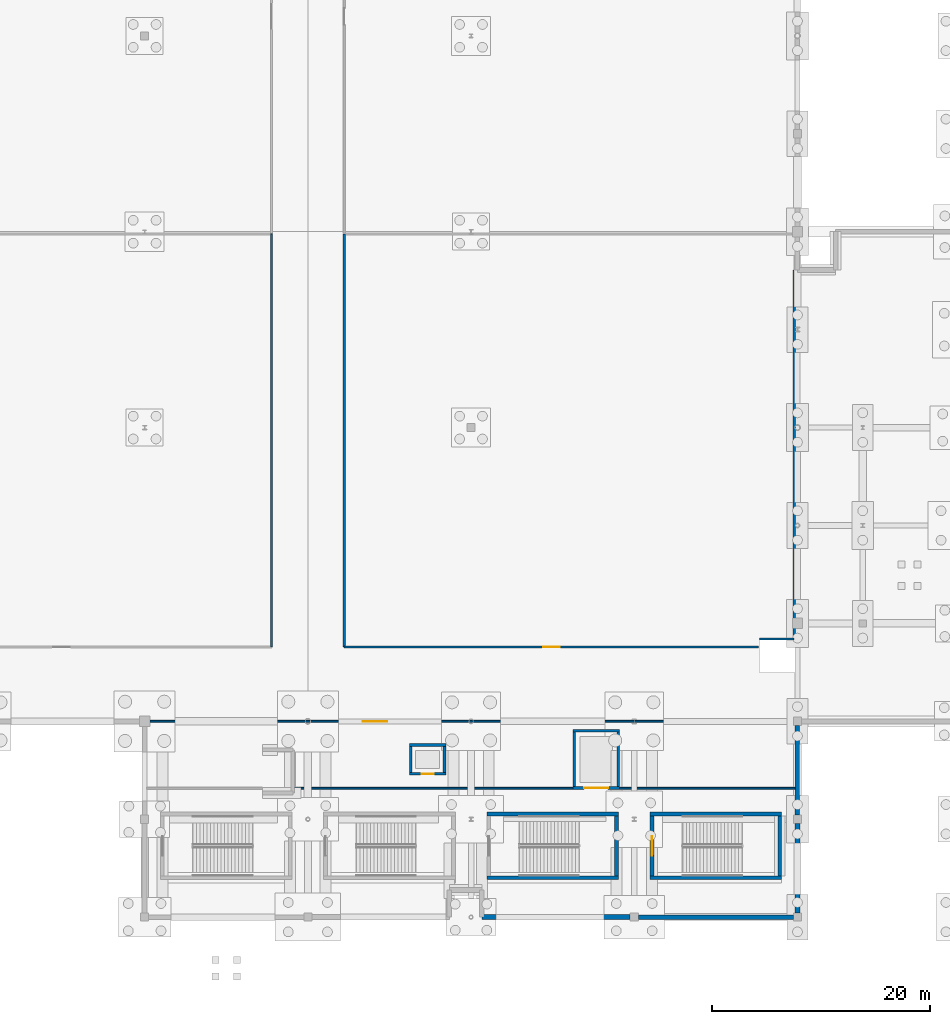
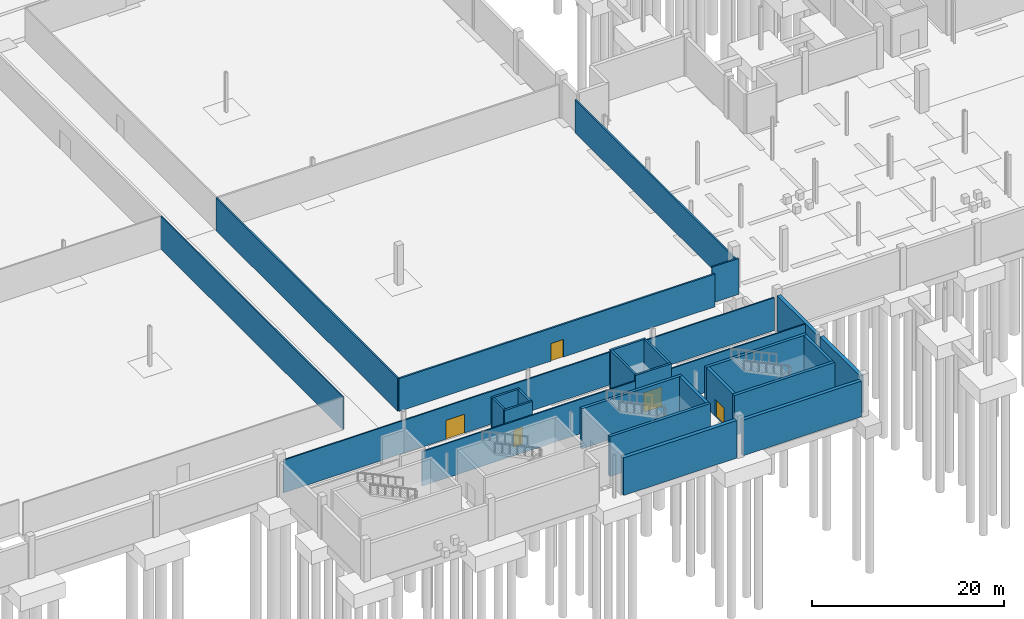
# One storey, part 39 of 58: 27 walls, 5 doors, 5 openings.
"""IFC4 building model written with IfcOpenShell, lengths in metres."""

import ifcopenshell
import ifcopenshell.guid

model = None  # the IFC model being written
_history = None  # IfcOwnerHistory: only IFC2X3 demands one
_inside = {}  # id of a spatial element -> (the spatial element, [elements in it])
_under = {}  # id of a project, library or spatial element -> (it, [spatial elements below it])
_declared = {}  # id of a project -> (the project, [libraries it declares])
_typed = {}  # id of a type object -> (the type object, [elements of that type])
_made_of = {}  # id of a material, layer set ... -> (it, [elements and type objects made of it])


def new_model(schema):
    """Start an empty IFC model of exactly this schema.

    Asked for "IFC4X3", IfcOpenShell would pick the latest addendum, in which some entities
    have other attributes; the version numbers below select the first issue.
    IFC2X3 requires an IfcOwnerHistory on every rooted entity: one is made here for all.
    """
    global model, _history
    if schema == "IFC4X3":
        model = ifcopenshell.file(schema_version=(4, 3, 0, 0))
    else:
        model = ifcopenshell.file(schema=schema)
    _inside.clear()
    _under.clear()
    _declared.clear()
    _typed.clear()
    _made_of.clear()
    _history = None
    if model.schema == "IFC2X3":
        org = make("IfcOrganization", Name="unknown")
        user = make(
            "IfcPersonAndOrganization",
            ThePerson=make("IfcPerson", FamilyName="unknown"),
            TheOrganization=org,
        )
        app = make(
            "IfcApplication",
            ApplicationDeveloper=org,
            Version="unknown",
            ApplicationFullName="unknown",
            ApplicationIdentifier="unknown",
        )
        _history = make(
            "IfcOwnerHistory",
            OwningUser=user,
            OwningApplication=app,
            ChangeAction="ADDED",
            CreationDate=0,
        )
    return model


def make(cls, **values):
    """One entity of the class cls with the attributes given. An attribute that is None is left unset."""
    return model.create_entity(
        cls, **{name: value for name, value in values.items() if value is not None}
    )


def rooted(cls, **values):
    """An entity with a GlobalId (a new one), such as an element, a storey or a relation."""
    return make(cls, GlobalId=ifcopenshell.guid.new(), OwnerHistory=_history, **values)


def si_unit(unit_type, name, prefix=None):
    """IfcSIUnit, for example si_unit("LENGTHUNIT", "METRE", prefix="MILLI")."""
    return make("IfcSIUnit", UnitType=unit_type, Prefix=prefix, Name=name)


def assignment(units):
    """IfcUnitAssignment: the units of a project."""
    return None if units is None else make("IfcUnitAssignment", Units=units)


def point(xyz):
    """IfcCartesianPoint."""
    return None if xyz is None else make("IfcCartesianPoint", Coordinates=xyz)


def direction(xyz):
    """IfcDirection."""
    return None if xyz is None else make("IfcDirection", DirectionRatios=xyz)


def frame(location, z_axis=None, x_axis=None):
    """IfcAxis2Placement3D, a coordinate frame: its origin and axes. An axis left out is left unset."""
    return make(
        "IfcAxis2Placement3D",
        Location=point(location),
        Axis=direction(z_axis),
        RefDirection=direction(x_axis),
    )


def frame_2d(location, x_axis=None):
    """IfcAxis2Placement2D, a coordinate frame in the plane: its origin and x axis."""
    return make(
        "IfcAxis2Placement2D", Location=point(location), RefDirection=direction(x_axis)
    )


def origin():
    """The frame at (0, 0, 0) with its axes left unset."""
    return frame((0.0, 0.0, 0.0))


def place(relative_to, where):
    """IfcLocalPlacement: puts the frame where relative to a parent placement (None: the world)."""
    return make(
        "IfcLocalPlacement", PlacementRelTo=relative_to, RelativePlacement=where
    )


def context(
    kind, dimensions, precision=None, world=None, true_north=None, identifier=None
):
    """IfcGeometricRepresentationContext, for example the 3D "Model" context."""
    return make(
        "IfcGeometricRepresentationContext",
        ContextIdentifier=identifier,
        ContextType=kind,
        CoordinateSpaceDimension=dimensions,
        Precision=precision,
        WorldCoordinateSystem=world,
        TrueNorth=true_north,
    )


def subcontext(parent, identifier, kind, view, scale=None):
    """IfcGeometricRepresentationSubContext, for example "Body" below "Model"."""
    return make(
        "IfcGeometricRepresentationSubContext",
        ContextIdentifier=identifier,
        ContextType=kind,
        ParentContext=parent,
        TargetScale=scale,
        TargetView=view,
    )


def project(units=None, contexts=None):
    """IfcProject with its units and contexts."""
    return rooted(
        "IfcProject",
        Name="project",
        RepresentationContexts=contexts,
        UnitsInContext=assignment(units),
    )


def spatial(cls, under=None, at=None, **own):
    """A site, building, storey or space (cls), placed at a placement, below another one or the project."""
    s = rooted(cls, ObjectPlacement=at, **own)
    if under is not None:
        _under.setdefault(under.id(), (under, []))[1].append(s)
    return s


def profile(cls, at=None, kind="AREA", **sizes):
    """A parametric profile (cls). Its sizes go by their IFC names, for example OverallWidth=200.0."""
    return make(cls, ProfileType=kind, Position=at, **sizes)


def rectangle(**sizes):
    """IfcRectangleProfileDef."""
    return profile("IfcRectangleProfileDef", **sizes)


def extrude(swept, where, along, depth):
    """IfcExtrudedAreaSolid: the profile swept, set in the frame where, extruded along a direction by depth."""
    return make(
        "IfcExtrudedAreaSolid",
        SweptArea=swept,
        Position=where,
        ExtrudedDirection=direction(along),
        Depth=depth,
    )


def shape(context_of_items, identifier, shape_type, items):
    """IfcShapeRepresentation: the items that make up one representation, for example the "Body"."""
    return make(
        "IfcShapeRepresentation",
        ContextOfItems=context_of_items,
        RepresentationIdentifier=identifier,
        RepresentationType=shape_type,
        Items=items,
    )


def material(Name=None, Category=None):
    """IfcMaterial."""
    return make("IfcMaterial", Name=Name, Category=Category)


def layer(
    of_material, thickness, ventilated=None, Name=None, Category=None, Priority=None
):
    """IfcMaterialLayer: one layer of a wall or slab, of a material (None: an air gap)."""
    return make(
        "IfcMaterialLayer",
        Material=of_material,
        LayerThickness=thickness,
        IsVentilated=ventilated,
        Name=Name,
        Category=Category,
        Priority=Priority,
    )


def layer_set(layers, Name=None):
    """IfcMaterialLayerSet."""
    return make("IfcMaterialLayerSet", MaterialLayers=layers, LayerSetName=Name)


def made_of(thing, what):
    """Note that an element or type object is made of a material, layer set ...; save() writes the relation."""
    if what is not None:
        _made_of.setdefault(what.id(), (what, []))[1].append(thing)
    return thing


def type_object(cls, material=None, **own):
    """A type object (cls), such as IfcWallType, which elements share."""
    return made_of(rooted(cls, **own), material)


def element(
    cls,
    number,
    at=None,
    inside=None,
    cuts=None,
    type_object=None,
    material=None,
    context=None,
    identifier="Body",
    shape_type=None,
    held_by="IfcProductDefinitionShape",
    body=None,
    shapes=None,
    **own,
):
    """One element of the class cls, such as IfcWall. Its Tag is "e" and its number.

    at: its placement. inside: the storey or other place that contains it. cuts: it is an
    opening in that element (IfcRelVoidsElement). A single representation is given by context,
    identifier, shape_type and body (its items); several are given by shapes. held_by: the class
    of the entity that holds the representations. save() writes the other relations.
    """
    e = rooted(cls, Tag="e%d" % number, ObjectPlacement=at, **own)
    if body is not None:
        shapes = [shape(context, identifier, shape_type, body)]
    if shapes is not None:
        e.Representation = make(held_by, Representations=shapes)
    if inside is not None:
        _inside.setdefault(inside.id(), (inside, []))[1].append(e)
    if cuts is not None:
        rooted(
            "IfcRelVoidsElement", RelatingBuildingElement=cuts, RelatedOpeningElement=e
        )
    if type_object is not None:
        _typed.setdefault(type_object.id(), (type_object, []))[1].append(e)
    return made_of(e, material)


def fill(opening, filler):
    """IfcRelFillsElement: the door or window that sits in an opening."""
    return rooted(
        "IfcRelFillsElement",
        RelatingOpeningElement=opening,
        RelatedBuildingElement=filler,
    )


def aggregate(whole, parts):
    """IfcRelAggregates: a whole, such as a stair, and the parts it consists of."""
    return rooted("IfcRelAggregates", RelatingObject=whole, RelatedObjects=parts)


def save(model, path):
    """Write the relations noted so far, then the file.

    IfcRelAggregates (storeys below a building ...), IfcRelContainedInSpatialStructure (elements
    in a storey), IfcRelDefinesByType, IfcRelAssociatesMaterial and IfcRelDeclares: one each for
    every whole, place, type object, material and project.
    """
    for whole, parts in _under.values():
        aggregate(whole, parts)
    for where, things in _inside.values():
        rooted(
            "IfcRelContainedInSpatialStructure",
            RelatedElements=things,
            RelatingStructure=where,
        )
    for kind, things in _typed.values():
        rooted("IfcRelDefinesByType", RelatedObjects=things, RelatingType=kind)
    for what, things in _made_of.values():
        rooted("IfcRelAssociatesMaterial", RelatedObjects=things, RelatingMaterial=what)
    for by, libraries in _declared.values():
        rooted("IfcRelDeclares", RelatingContext=by, RelatedDefinitions=libraries)
    model.write(path)


model = new_model("IFC4")

# Units and contexts
model_context = context("Model", 3, precision=1e-05, world=origin(), true_north=direction((0.0, 1.0)))
body_context = subcontext(model_context, "Body", "Model", "MODEL_VIEW")
ifc_project = project(units=[si_unit("LENGTHUNIT", "METRE"), si_unit("AREAUNIT", "SQUARE_METRE"), si_unit("VOLUMEUNIT", "CUBIC_METRE"), si_unit("PLANEANGLEUNIT", "RADIAN"), si_unit("MASSUNIT", "GRAM", prefix="KILO")], contexts=[model_context])

# Site, building, storey
site_placement = place(None, origin())
site = spatial("IfcSite", under=ifc_project, at=site_placement, CompositionType="ELEMENT")
building_placement = place(site_placement, origin())
building = spatial("IfcBuilding", under=site, at=building_placement, Name="Qamarlyn Nura Convention Centre", CompositionType="ELEMENT")
storey_placement = place(building_placement, frame((0.0, 0.0, -5.39990234375)))
storey = spatial("IfcBuildingStorey", under=building, at=storey_placement, Name="B01", CompositionType="ELEMENT", Elevation=-5.39990234375)

# Walls
ifc_material_1 = material(Name="Concrete C50/60", Category="concrete")
ifc_layer_1 = layer(ifc_material_1, 0.35009765625, Name="WT-CORE-350")
ifc_layer_set_1 = layer_set([ifc_layer_1], Name="Concrete C50/60")
wall_type_1 = type_object("IfcWallType", Name="WT-CORE-350", PredefinedType="SHEAR", material=ifc_layer_set_1)
for number, where, z_axis, x_axis, name in (
    (1, (91.449951171875, 3.625, 0.0), (0.0, 0.0, 1.0), (1.0, 0.0, 0.0), "B01 stair core shear wall ST-07-S"),
    (2, (103.550048828125, 9.47509765625, 0.0), (0.0, 0.0, 1.0), (-1.0, 0.0, 0.0), "B01 stair core shear wall ST-07-N"),
):
    element("IfcWall", number, at=place(storey_placement, frame(where, z_axis=z_axis, x_axis=x_axis)), inside=storey, type_object=wall_type_1, Name=name, PredefinedType="SHEAR", context=body_context, shape_type="SweptSolid", body=[
        extrude(rectangle(XDim=12.10009765625, YDim=0.35009765625, at=frame_2d((6.050048828125, 0.0))), origin(), (0.0, 0.0, 1.0), 5.099853515625),
    ])
wall_1_placement = place(storey_placement, frame((103.375, 3.800048828125, 0.0), z_axis=(0.0, 0.0, 1.0), x_axis=(0.0, 1.0, 0.0)))
element("IfcWall", 3, at=wall_1_placement, inside=storey, type_object=wall_type_1, Name="B01 stair core shear wall ST-07-E", PredefinedType="SHEAR", context=body_context, shape_type="SweptSolid", body=[
    extrude(rectangle(XDim=5.5, YDim=0.35009765625, at=frame_2d((2.75, 0.0))), origin(), (0.0, 0.0, 1.0), 5.099853515625),
])
for number, where, z_axis, x_axis, name in (
    (4, (106.449951171875, 3.625, 0.0), (0.0, 0.0, 1.0), (1.0, 0.0, 0.0), "B01 stair core shear wall ST-08-S"),
    (5, (118.550048828125, 9.47509765625, 0.0), (0.0, 0.0, 1.0), (-1.0, 0.0, 0.0), "B01 stair core shear wall ST-08-N"),
):
    element("IfcWall", number, at=place(storey_placement, frame(where, z_axis=z_axis, x_axis=x_axis)), inside=storey, type_object=wall_type_1, Name=name, PredefinedType="SHEAR", context=body_context, shape_type="SweptSolid", body=[
        extrude(rectangle(XDim=12.10009765625, YDim=0.35009765625, at=frame_2d((6.050048828125, 0.0))), origin(), (0.0, 0.0, 1.0), 5.099853515625),
    ])

# Wall, opening, door
wall_2_placement = place(storey_placement, frame((106.625, 9.300048828125, 0.0), z_axis=(0.0, 0.0, 1.0), x_axis=(0.0, -1.0, 0.0)))
wall_2 = element("IfcWall", 6, at=wall_2_placement, inside=storey, type_object=wall_type_1, Name="B01 stair core shear wall ST-08-W", PredefinedType="SHEAR", context=body_context, shape_type="SweptSolid", body=[
    extrude(rectangle(XDim=5.5, YDim=0.35009765625, at=frame_2d((2.75, 0.0))), origin(), (0.0, 0.0, 1.0), 5.099853515625),
])
opening_1_placement = place(wall_2_placement, frame((1.85009765625, 0.0, 0.0)))
opening_1 = element("IfcOpeningElement", 7, at=opening_1_placement, cuts=wall_2, Name="Opening DS-025", PredefinedType="OPENING", context=body_context, shape_type="SweptSolid", body=[
    extrude(rectangle(XDim=1.800048828125, YDim=2.199951171875, at=frame_2d((0.89990234375, 1.10009765625))), frame((0.0, 0.18505859375, 0.0), z_axis=(0.0, -1.0, 0.0), x_axis=(1.0, 0.0, 0.0)), (0.0, 0.0, 1.0), 0.3701171875),
])
ifc_material_2 = material(Name="Galvanised fire-rated hollow steel door", Category="steel")
door_type_1 = type_object("IfcDoorType", Name="DR-STAIR-1800", OperationType="DOUBLE_DOOR_SINGLE_SWING", PredefinedType="DOOR", material=ifc_material_2)
door_1_placement = place(opening_1_placement, origin())
door_1 = element("IfcDoor", 8, at=door_1_placement, inside=storey, type_object=door_type_1, Name="B01 exit stair door ST-08 (DS-025)", OperationType="DOUBLE_DOOR_SINGLE_SWING", OverallHeight=2.199951171875, OverallWidth=1.800048828125, PredefinedType="DOOR", context=body_context, shape_type="SweptSolid", body=[
    extrude(rectangle(XDim=1.800048828125, YDim=2.199951171875, at=frame_2d((0.89990234375, 1.10009765625))), frame((0.0, 0.02490234375, 0.0), z_axis=(0.0, -1.0, 0.0), x_axis=(1.0, 0.0, 0.0)), (0.0, 0.0, 1.0), 0.050048828125),
])
fill(opening_1, door_1)

# Wall
wall_3_placement = place(storey_placement, frame((118.375, 3.800048828125, 0.0), z_axis=(0.0, 0.0, 1.0), x_axis=(0.0, 1.0, 0.0)))
element("IfcWall", 9, at=wall_3_placement, inside=storey, type_object=wall_type_1, Name="B01 stair core shear wall ST-08-E", PredefinedType="SHEAR", context=body_context, shape_type="SweptSolid", body=[
    extrude(rectangle(XDim=5.5, YDim=0.35009765625, at=frame_2d((2.75, 0.0))), origin(), (0.0, 0.0, 1.0), 5.099853515625),
])

# Wall, opening, door
ifc_material_3 = material(Name="Fire-rated acoustic gypsum board EI 60")
ifc_layer_2 = layer(ifc_material_3, 0.159912109375, Name="WT-PART-160")
ifc_layer_set_2 = layer_set([ifc_layer_2], Name="Fire-rated acoustic gypsum board EI 60")
wall_type_2 = type_object("IfcWallType", Name="WT-PART-160", PredefinedType="PARTITIONING", material=ifc_layer_set_2)
wall_4_placement = place(storey_placement, frame((60.489990234375, 18.0, 0.0), z_axis=(0.0, 0.0, 1.0), x_axis=(1.0, 0.0, 0.0)))
wall_4 = element("IfcWall", 10, at=wall_4_placement, inside=storey, type_object=wall_type_2, Name="B01 interior partition B01-STR-SOUTH-1-1", PredefinedType="PARTITIONING", context=body_context, shape_type="SweptSolid", body=[
    extrude(rectangle(XDim=59.130126953125, YDim=0.159912109375, at=frame_2d((29.56494140625, 0.0))), origin(), (0.0, 0.0, 1.0), 4.179931640625),
])
opening_2_placement = place(wall_4_placement, frame((19.570556640625, 0.0, 0.0)))
opening_2 = element("IfcOpeningElement", 11, at=opening_2_placement, cuts=wall_4, Name="Opening D-B01-134", PredefinedType="OPENING", context=body_context, shape_type="SweptSolid", body=[
    extrude(rectangle(XDim=2.25, YDim=2.39990234375, at=frame_2d((1.125, 1.199951171875))), frame((0.0, 0.08984375, 0.0), z_axis=(0.0, -1.0, 0.0), x_axis=(1.0, 0.0, 0.0)), (0.0, 0.0, 1.0), 0.179931640625),
])
ifc_material_4 = material(Name="Acoustic walnut timber leaf", Category="wood")
door_type_2 = type_object("IfcDoorType", Name="DR-HALL-2250", OperationType="DOUBLE_DOOR_SINGLE_SWING", PredefinedType="DOOR", material=ifc_material_4)
door_2_placement = place(opening_2_placement, origin())
door_2 = element("IfcDoor", 12, at=door_2_placement, inside=storey, type_object=door_type_2, Name="B01 South Concourse Equipment Store door D-B01-134", OperationType="DOUBLE_DOOR_SINGLE_SWING", OverallHeight=2.39990234375, OverallWidth=2.25, PredefinedType="DOOR", context=body_context, shape_type="SweptSolid", body=[
    extrude(rectangle(XDim=2.25, YDim=2.39990234375, at=frame_2d((1.125, 1.199951171875))), frame((0.0, 0.02490234375, 0.0), z_axis=(0.0, -1.0, 0.0), x_axis=(1.0, 0.0, 0.0)), (0.0, 0.0, 1.0), 0.050048828125),
])
fill(opening_2, door_2)

# Walls
wall_5_placement = place(storey_placement, frame((119.7900390625, 11.840087890625, 0.0), z_axis=(0.0, 0.0, 1.0), x_axis=(-1.0, 0.0, 0.0)))
element("IfcWall", 13, at=wall_5_placement, inside=storey, type_object=wall_type_2, Name="B01 interior partition B01-STR-SOUTH-3-1", PredefinedType="PARTITIONING", context=body_context, shape_type="SweptSolid", body=[
    extrude(rectangle(XDim=16.14013671875, YDim=0.159912109375, at=frame_2d((8.070068359375, 0.0))), origin(), (0.0, 0.0, 1.0), 4.473876953125),
])
wall_6_placement = place(storey_placement, frame((99.35009765625, 11.840087890625, 0.0), z_axis=(0.0, 0.0, 1.0), x_axis=(-1.0, 0.0, 0.0)))
element("IfcWall", 14, at=wall_6_placement, inside=storey, type_object=wall_type_2, Name="B01 interior partition B01-STR-SOUTH-53-1", PredefinedType="PARTITIONING", context=body_context, shape_type="SweptSolid", body=[
    extrude(rectangle(XDim=25.72998046875, YDim=0.159912109375, at=frame_2d((12.864990234375, 0.0))), origin(), (0.0, 0.0, 1.0), 4.389892578125),
])
wall_7_placement = place(storey_placement, frame((71.659912109375, 62.800048828125, 0.0), z_axis=(0.0, 0.0, 1.0), x_axis=(0.0, -1.0, 0.0)))
element("IfcWall", 15, at=wall_7_placement, inside=storey, type_object=wall_type_2, Name="B01 interior partition B01-STR-BLK1-1-1", PredefinedType="PARTITIONING", context=body_context, shape_type="SweptSolid", body=[
    extrude(rectangle(XDim=37.9599609375, YDim=0.159912109375, at=frame_2d((18.97998046875, 0.0))), origin(), (0.0, 0.0, 1.0), 4.179931640625),
])
ifc_layer_3 = layer(ifc_material_3, 0.199951171875, Name="WT-PART-200")
ifc_layer_set_3 = layer_set([ifc_layer_3], Name="Fire-rated acoustic gypsum board EI 60")
wall_type_3 = type_object("IfcWallType", Name="WT-PART-200", PredefinedType="PARTITIONING", material=ifc_layer_set_3)
wall_8_placement = place(storey_placement, frame((119.699951171875, 59.5, 0.0), z_axis=(0.0, 0.0, 1.0), x_axis=(0.0, -1.0, 0.0)))
element("IfcWall", 16, at=wall_8_placement, inside=storey, type_object=wall_type_3, Name="B01 interior partition B01-PLT-CHIL-1-2", PredefinedType="PARTITIONING", context=body_context, shape_type="SweptSolid", body=[
    extrude(rectangle(XDim=33.919921875, YDim=0.199951171875, at=frame_2d((16.9599609375, 0.0))), origin(), (0.0, 0.0, 1.0), 4.179931640625),
])
wall_9_placement = place(storey_placement, frame((119.699951171875, 25.580078125, 0.0), z_axis=(0.0, 0.0, 1.0), x_axis=(-1.0, 0.0, 0.0)))
element("IfcWall", 17, at=wall_9_placement, inside=storey, type_object=wall_type_3, Name="B01 interior partition B01-PLT-CHIL-2-1", PredefinedType="PARTITIONING", context=body_context, shape_type="SweptSolid", body=[
    extrude(rectangle(XDim=3.199951171875, YDim=0.199951171875, at=frame_2d((1.60009765625, 0.0))), origin(), (0.0, 0.0, 1.0), 4.56884765625),
])

# Wall, opening, door
wall_10_placement = place(storey_placement, frame((116.419921875, 24.840087890625, 0.0), z_axis=(0.0, 0.0, 1.0), x_axis=(-1.0, 0.0, 0.0)))
wall_10 = element("IfcWall", 18, at=wall_10_placement, inside=storey, type_object=wall_type_3, Name="B01 interior partition B01-PLT-CHIL-20-1", PredefinedType="PARTITIONING", context=body_context, shape_type="SweptSolid", body=[
    extrude(rectangle(XDim=38.079833984375, YDim=0.199951171875, at=frame_2d((19.0400390625, 0.0))), origin(), (0.0, 0.0, 1.0), 4.179931640625),
])
opening_3_placement = place(wall_10_placement, frame((18.2900390625, 0.0, 0.0)))
opening_3 = element("IfcOpeningElement", 19, at=opening_3_placement, cuts=wall_10, Name="Opening D-B01-135", PredefinedType="OPENING", context=body_context, shape_type="SweptSolid", body=[
    extrude(rectangle(XDim=1.5, YDim=2.25, at=frame_2d((0.75, 1.125))), frame((0.0, 0.10986328125, 0.0), z_axis=(0.0, -1.0, 0.0), x_axis=(1.0, 0.0, 0.0)), (0.0, 0.0, 1.0), 0.219970703125),
])
door_type_3 = type_object("IfcDoorType", Name="DR-PLANT-1500", OperationType="DOUBLE_DOOR_SINGLE_SWING", PredefinedType="DOOR", material=ifc_material_2)
door_3_placement = place(opening_3_placement, origin())
door_3 = element("IfcDoor", 20, at=door_3_placement, inside=storey, type_object=door_type_3, Name="B01 District Cooling Chiller and ETS Plant door D-B01-135", OperationType="DOUBLE_DOOR_SINGLE_SWING", OverallHeight=2.25, OverallWidth=1.5, PredefinedType="DOOR", context=body_context, shape_type="SweptSolid", body=[
    extrude(rectangle(XDim=1.5, YDim=2.25, at=frame_2d((0.75, 1.125))), frame((0.0, 0.02490234375, 0.0), z_axis=(0.0, -1.0, 0.0), x_axis=(1.0, 0.0, 0.0)), (0.0, 0.0, 1.0), 0.050048828125),
])
fill(opening_3, door_3)

# Walls
wall_11_placement = place(storey_placement, frame((78.340087890625, 24.840087890625, 0.0), z_axis=(0.0, 0.0, 1.0), x_axis=(0.0, 1.0, 0.0)))
element("IfcWall", 21, at=wall_11_placement, inside=storey, type_object=wall_type_3, Name="B01 interior partition B01-PLT-CHIL-21-1", PredefinedType="PARTITIONING", context=body_context, shape_type="SweptSolid", body=[
    extrude(rectangle(XDim=37.9599609375, YDim=0.199951171875, at=frame_2d((18.97998046875, 0.0))), origin(), (0.0, 0.0, 1.0), 4.179931640625),
])
ifc_material_5 = material(Name="Concrete C40/50", Category="concrete")
ifc_layer_4 = layer(ifc_material_5, 0.419921875, Name="WT-RET-420")
ifc_layer_set_4 = layer_set([ifc_layer_4], Name="Concrete C40/50")
wall_type_4 = type_object("IfcWallType", Name="WT-RET-420", PredefinedType="USERDEFINED", material=ifc_layer_set_4)
wall_12_placement = place(storey_placement, frame((120.0, 17.625, 0.0), z_axis=(0.0, 0.0, 1.0), x_axis=(0.0, -1.0, 0.0)))
element("IfcWall", 22, at=wall_12_placement, inside=storey, type_object=wall_type_4, Name="B01 perimeter retaining wall 90", ObjectType="RETAININGWALL", PredefinedType="USERDEFINED", context=body_context, shape_type="SweptSolid", body=[
    extrude(rectangle(XDim=8.25, YDim=0.419921875, at=frame_2d((4.125, 0.0))), origin(), (0.0, 0.0, 1.0), 4.5458984375),
])
wall_13_placement = place(storey_placement, frame((119.625, 0.0, 0.0), z_axis=(0.0, 0.0, 1.0), x_axis=(-1.0, 0.0, 0.0)))
element("IfcWall", 23, at=wall_13_placement, inside=storey, type_object=wall_type_4, Name="B01 perimeter retaining wall 92", ObjectType="RETAININGWALL", PredefinedType="USERDEFINED", context=body_context, shape_type="SweptSolid", body=[
    extrude(rectangle(XDim=14.25, YDim=0.419921875, at=frame_2d((7.125, 0.0))), origin(), (0.0, 0.0, 1.0), 4.5458984375),
])
ifc_layer_5 = layer(ifc_material_5, 0.449951171875, Name="WT-RET-450")
ifc_layer_set_5 = layer_set([ifc_layer_5], Name="Concrete C40/50")
wall_type_5 = type_object("IfcWallType", Name="WT-RET-450", PredefinedType="USERDEFINED", material=ifc_layer_set_5)
wall_14_placement = place(storey_placement, frame((120.0, 8.625, 0.0), z_axis=(0.0, 0.0, 1.0), x_axis=(0.0, -1.0, 0.0)))
element("IfcWall", 24, at=wall_14_placement, inside=storey, type_object=wall_type_5, Name="B01 perimeter retaining wall 91", ObjectType="RETAININGWALL", PredefinedType="USERDEFINED", context=body_context, shape_type="SweptSolid", body=[
    extrude(rectangle(XDim=8.25, YDim=0.449951171875, at=frame_2d((4.125, 0.0))), origin(), (0.0, 0.0, 1.0), 4.784912109375),
])
wall_15_placement = place(storey_placement, frame((104.625, 0.0, 0.0), z_axis=(0.0, 0.0, 1.0), x_axis=(-1.0, 0.0, 0.0)))
element("IfcWall", 25, at=wall_15_placement, inside=storey, type_object=wall_type_5, Name="B01 perimeter retaining wall 93", ObjectType="RETAININGWALL", PredefinedType="USERDEFINED", context=body_context, shape_type="SweptSolid", body=[
    extrude(rectangle(XDim=13.625, YDim=0.449951171875, at=frame_2d((6.8125, 0.0))), origin(), (0.0, 0.0, 1.0), 4.784912109375),
])

# Wall, opening, door
ifc_material_6 = material(Name="Fire-rated acoustic gypsum board and mineral wool EI 120")
ifc_layer_6 = layer(ifc_material_6, 0.25, Name="WT-SHAFT-250")
ifc_layer_set_6 = layer_set([ifc_layer_6], Name="Fire-rated acoustic gypsum board and mineral wool EI 120")
wall_type_6 = type_object("IfcWallType", Name="WT-SHAFT-250", PredefinedType="SOLIDWALL", material=ifc_layer_set_6)
wall_16_placement = place(storey_placement, frame((84.324951171875, 13.175048828125, 0.0), z_axis=(0.0, 0.0, 1.0), x_axis=(1.0, 0.0, 0.0)))
wall_16 = element("IfcWall", 26, at=wall_16_placement, inside=storey, type_object=wall_type_6, Name="B01 lift shaft enclosure wall PL-06 -y", PredefinedType="SOLIDWALL", context=body_context, shape_type="SweptSolid", body=[
    extrude(rectangle(XDim=3.35009765625, YDim=0.25, at=frame_2d((1.675048828125, 0.0))), origin(), (0.0, 0.0, 1.0), 5.099853515625),
])
opening_4_placement = place(wall_16_placement, frame((1.125, 0.0, 0.0)))
opening_4 = element("IfcOpeningElement", 27, at=opening_4_placement, cuts=wall_16, Name="Opening LD-PL-06-B01", PredefinedType="OPENING", context=body_context, shape_type="SweptSolid", body=[
    extrude(rectangle(XDim=1.10009765625, YDim=2.199951171875, at=frame_2d((0.550048828125, 1.10009765625))), frame((0.0, 0.135009765625, 0.0), z_axis=(0.0, -1.0, 0.0), x_axis=(1.0, 0.0, 0.0)), (0.0, 0.0, 1.0), 0.27001953125),
])
ifc_material_7 = material(Name="Marine Grade 316 stainless steel", Category="steel")
door_type_4 = type_object("IfcDoorType", Name="DR-LD-PAX", OperationType="DOUBLE_DOOR_SLIDING", PredefinedType="DOOR", material=ifc_material_7)
door_4_placement = place(opening_4_placement, origin())
door_4 = element("IfcDoor", 28, at=door_4_placement, inside=storey, type_object=door_type_4, Name="Lift landing door LD-PL-06-B01", OperationType="DOUBLE_DOOR_SLIDING", OverallHeight=2.199951171875, OverallWidth=1.10009765625, PredefinedType="DOOR", context=body_context, shape_type="SweptSolid", body=[
    extrude(rectangle(XDim=1.10009765625, YDim=2.199951171875, at=frame_2d((0.550048828125, 1.10009765625))), frame((0.0, 0.02490234375, 0.0), z_axis=(0.0, -1.0, 0.0), x_axis=(1.0, 0.0, 0.0)), (0.0, 0.0, 1.0), 0.050048828125),
])
fill(opening_4, door_4)

# Walls
wall_17_placement = place(storey_placement, frame((87.675048828125, 15.824951171875, 0.0), z_axis=(0.0, 0.0, 1.0), x_axis=(-1.0, 0.0, 0.0)))
element("IfcWall", 29, at=wall_17_placement, inside=storey, type_object=wall_type_6, Name="B01 lift shaft enclosure wall PL-06 +y", PredefinedType="SOLIDWALL", context=body_context, shape_type="SweptSolid", body=[
    extrude(rectangle(XDim=3.35009765625, YDim=0.25, at=frame_2d((1.675048828125, 0.0))), origin(), (0.0, 0.0, 1.0), 5.099853515625),
])
for number, where, z_axis, x_axis, name in (
    (30, (84.449951171875, 15.699951171875, 0.0), (0.0, 0.0, 1.0), (0.0, -1.0, 0.0), "B01 lift shaft enclosure wall PL-06 -x"),
    (31, (87.550048828125, 13.300048828125, 0.0), (0.0, 0.0, 1.0), (0.0, 1.0, 0.0), "B01 lift shaft enclosure wall PL-06 +x"),
):
    element("IfcWall", number, at=place(storey_placement, frame(where, z_axis=z_axis, x_axis=x_axis)), inside=storey, type_object=wall_type_6, Name=name, PredefinedType="SOLIDWALL", context=body_context, shape_type="SweptSolid", body=[
        extrude(rectangle(XDim=2.39990234375, YDim=0.25, at=frame_2d((1.199951171875, 0.0))), origin(), (0.0, 0.0, 1.0), 5.099853515625),
    ])

# Wall, opening, door
wall_18_placement = place(storey_placement, frame((99.35009765625, 11.875, 0.0), z_axis=(0.0, 0.0, 1.0), x_axis=(1.0, 0.0, 0.0)))
wall_18 = element("IfcWall", 32, at=wall_18_placement, inside=storey, type_object=wall_type_6, Name="B01 lift shaft enclosure wall FL-02 -y", PredefinedType="SOLIDWALL", context=body_context, shape_type="SweptSolid", body=[
    extrude(rectangle(XDim=4.2998046875, YDim=0.25, at=frame_2d((2.14990234375, 0.0))), origin(), (0.0, 0.0, 1.0), 5.099853515625),
])
opening_5_placement = place(wall_18_placement, frame((1.050048828125, 0.0, 0.0)))
opening_5 = element("IfcOpeningElement", 33, at=opening_5_placement, cuts=wall_18, Name="Opening LD-FL-02-B01", PredefinedType="OPENING", context=body_context, shape_type="SweptSolid", body=[
    extrude(rectangle(XDim=2.199951171875, YDim=2.5, at=frame_2d((1.10009765625, 1.25))), frame((0.0, 0.135009765625, 0.0), z_axis=(0.0, -1.0, 0.0), x_axis=(1.0, 0.0, 0.0)), (0.0, 0.0, 1.0), 0.27001953125),
])
door_type_5 = type_object("IfcDoorType", Name="DR-LD-FRT", OperationType="DOUBLE_DOOR_SLIDING", PredefinedType="DOOR", material=ifc_material_2)
door_5_placement = place(opening_5_placement, origin())
door_5 = element("IfcDoor", 34, at=door_5_placement, inside=storey, type_object=door_type_5, Name="Lift landing door LD-FL-02-B01", OperationType="DOUBLE_DOOR_SLIDING", OverallHeight=2.5, OverallWidth=2.199951171875, PredefinedType="DOOR", context=body_context, shape_type="SweptSolid", body=[
    extrude(rectangle(XDim=2.199951171875, YDim=2.5, at=frame_2d((1.10009765625, 1.25))), frame((0.0, 0.02490234375, 0.0), z_axis=(0.0, -1.0, 0.0), x_axis=(1.0, 0.0, 0.0)), (0.0, 0.0, 1.0), 0.050048828125),
])
fill(opening_5, door_5)

# Walls
wall_19_placement = place(storey_placement, frame((103.64990234375, 17.125, 0.0), z_axis=(0.0, 0.0, 1.0), x_axis=(-1.0, 0.0, 0.0)))
element("IfcWall", 35, at=wall_19_placement, inside=storey, type_object=wall_type_6, Name="B01 lift shaft enclosure wall FL-02 +y", PredefinedType="SOLIDWALL", context=body_context, shape_type="SweptSolid", body=[
    extrude(rectangle(XDim=4.2998046875, YDim=0.25, at=frame_2d((2.14990234375, 0.0))), origin(), (0.0, 0.0, 1.0), 5.099853515625),
])
for number, where, z_axis, x_axis, name in (
    (36, (99.47509765625, 17.0, 0.0), (0.0, 0.0, 1.0), (0.0, -1.0, 0.0), "B01 lift shaft enclosure wall FL-02 -x"),
    (37, (103.52490234375, 12.0, 0.0), (0.0, 0.0, 1.0), (0.0, 1.0, 0.0), "B01 lift shaft enclosure wall FL-02 +x"),
):
    element("IfcWall", number, at=place(storey_placement, frame(where, z_axis=z_axis, x_axis=x_axis)), inside=storey, type_object=wall_type_6, Name=name, PredefinedType="SOLIDWALL", context=body_context, shape_type="SweptSolid", body=[
        extrude(rectangle(XDim=5.0, YDim=0.25, at=frame_2d((2.5, 0.0))), origin(), (0.0, 0.0, 1.0), 5.099853515625),
    ])

save(model, "model.ifc")
